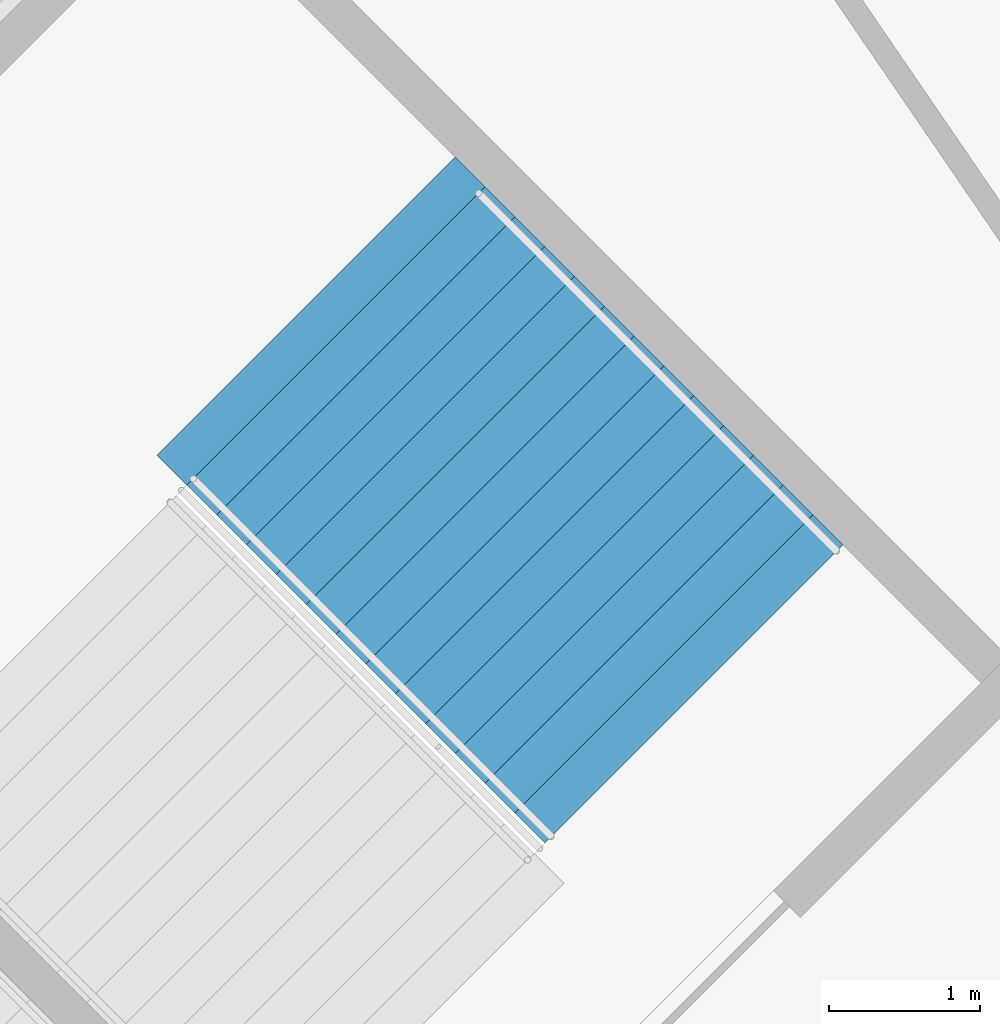
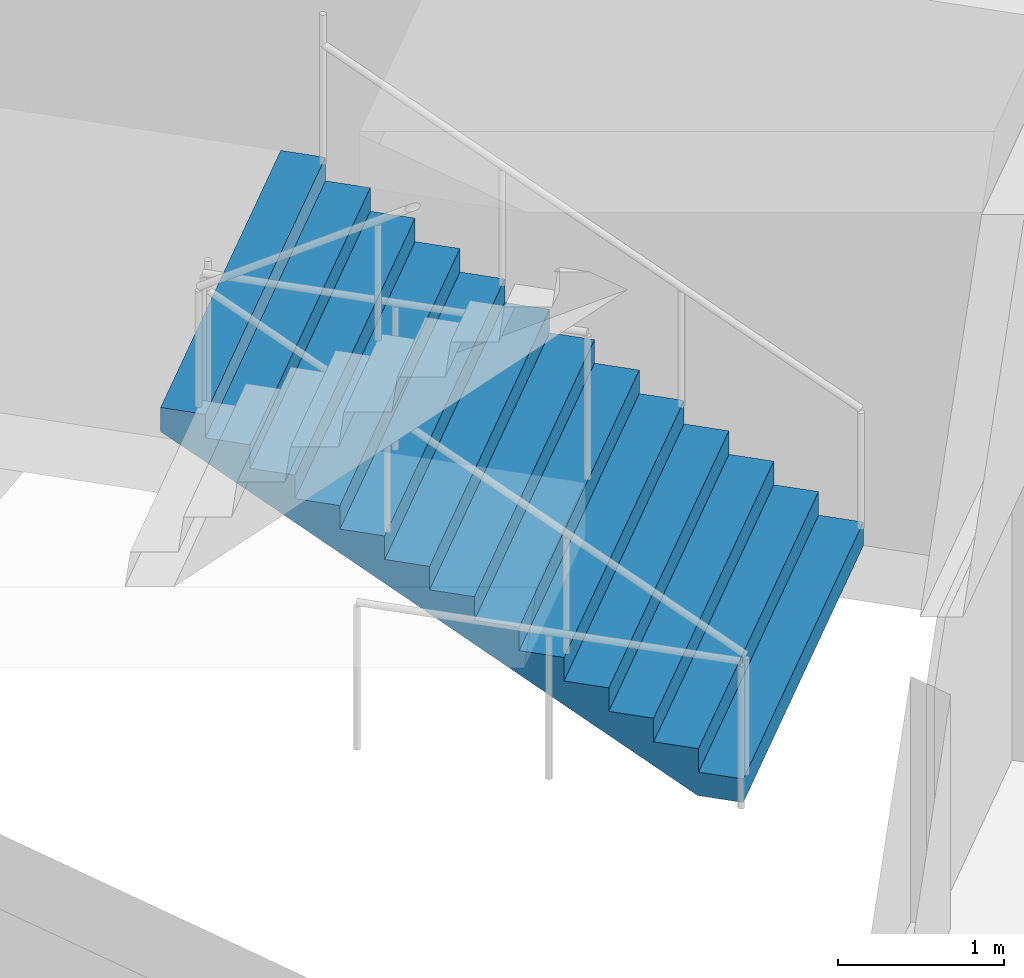
# One storey, part 161 of 199: 1 stair flight, 1 element without a shape of its own.
"""IFC4 building model written with IfcOpenShell, lengths in metres."""

from ifc_helpers import new_model, si_unit, direction, frame, origin, place, context, subcontext, project, spatial, faceted_brep, material, type_object, element, aggregate, save


model = new_model("IFC4")

# Units and contexts
model_context = context("Model", 3, precision=1e-05, world=origin(), true_north=direction((0.0, 1.0)))
body_context = subcontext(model_context, "Body", "Model", "MODEL_VIEW")
ifc_project = project(units=[si_unit("LENGTHUNIT", "METRE"), si_unit("AREAUNIT", "SQUARE_METRE"), si_unit("VOLUMEUNIT", "CUBIC_METRE"), si_unit("PLANEANGLEUNIT", "RADIAN"), si_unit("MASSUNIT", "GRAM", prefix="KILO")], contexts=[model_context])

# Site, building, storey
site_placement = place(None, origin())
site = spatial("IfcSite", under=ifc_project, at=site_placement, CompositionType="ELEMENT")
building_placement = place(site_placement, origin())
building = spatial("IfcBuilding", under=site, at=building_placement, Name="Ogive Plaza Stadium", CompositionType="ELEMENT")
storey_placement = place(building_placement, frame((0.0, 0.0, 4.5)))
storey = spatial("IfcBuildingStorey", under=building, at=storey_placement, Name="L01", CompositionType="ELEMENT", Elevation=4.5)

# Stair, stair flight
ifc_material_1 = material(Name="Concrete C40/50", Category="concrete")
stair_type = type_object("IfcStairType", Name="Exit stair", PredefinedType="STRAIGHT_RUN_STAIR", material=ifc_material_1)
stair_placement = place(storey_placement, origin())
stair = element("IfcStair", 1, at=stair_placement, inside=storey, type_object=stair_type, Name="Exit stair ST30A L01 to L02", PredefinedType="STRAIGHT_RUN_STAIR")
ifc_material_2 = material(Name="Concrete C40/50", Category="concrete")
stair_flight_type = type_object("IfcStairFlightType", Name="Exit stair flight", PredefinedType="STRAIGHT", material=ifc_material_2)
stair_flight_placement = place(storey_placement, frame((-60.817138671875, 85.574951171875, 0.0), z_axis=(0.0, 0.0, 1.0), x_axis=(-0.707106781187, 0.707106781187, 0.0)))
stair_flight = element("IfcStairFlight", 2, at=stair_flight_placement, type_object=stair_flight_type, Name="ST30A flight 1", NumberOfRisers=13, NumberOfTreads=12, PredefinedType="STRAIGHT", RiserHeight=0.173076923, TreadLength=0.28, context=body_context, shape_type="Brep", body=[
    faceted_brep([(0.28515625, -1.39990234375, 0.0), (3.639892578125, -1.39990234375, 2.07373046875), (3.639892578125, -1.39990234375, 2.25), (3.360107421875, -1.39990234375, 2.25), (3.360107421875, -1.39990234375, 2.076904296875), (3.080078125, -1.39990234375, 2.076904296875), (3.080078125, -1.39990234375, 1.90380859375), (2.800048828125, -1.39990234375, 1.90380859375), (2.800048828125, -1.39990234375, 1.730712890625), (2.52001953125, -1.39990234375, 1.730712890625), (2.52001953125, -1.39990234375, 1.5576171875), (2.239990234375, -1.39990234375, 1.5576171875), (2.239990234375, -1.39990234375, 1.384521484375), (1.9599609375, -1.39990234375, 1.384521484375), (1.9599609375, -1.39990234375, 1.21142578125), (1.679931640625, -1.39990234375, 1.21142578125), (1.679931640625, -1.39990234375, 1.03857421875), (1.39990234375, -1.39990234375, 1.03857421875), (1.39990234375, -1.39990234375, 0.865478515625), (1.1201171875, -1.39990234375, 0.865478515625), (1.1201171875, -1.39990234375, 0.6923828125), (0.840087890625, -1.39990234375, 0.6923828125), (0.840087890625, -1.39990234375, 0.519287109375), (0.56005859375, -1.39990234375, 0.519287109375), (0.56005859375, -1.39990234375, 0.34619140625), (0.280029296875, -1.39990234375, 0.34619140625), (0.280029296875, -1.39990234375, 0.173095703125), (0.0, -1.39990234375, 0.173095703125), (0.0, -1.39990234375, 0.0), (0.0, 1.39990234375, 0.0), (0.0, 1.39990234375, 0.173095703125), (0.280029296875, 1.39990234375, 0.173095703125), (0.280029296875, 1.39990234375, 0.34619140625), (0.56005859375, 1.39990234375, 0.34619140625), (0.56005859375, 1.39990234375, 0.519287109375), (0.840087890625, 1.39990234375, 0.519287109375), (0.840087890625, 1.39990234375, 0.6923828125), (1.1201171875, 1.39990234375, 0.6923828125), (1.1201171875, 1.39990234375, 0.865478515625), (1.39990234375, 1.39990234375, 0.865478515625), (1.39990234375, 1.39990234375, 1.03857421875), (1.679931640625, 1.39990234375, 1.03857421875), (1.679931640625, 1.39990234375, 1.21142578125), (1.9599609375, 1.39990234375, 1.21142578125), (1.9599609375, 1.39990234375, 1.384521484375), (2.239990234375, 1.39990234375, 1.384521484375), (2.239990234375, 1.39990234375, 1.5576171875), (2.52001953125, 1.39990234375, 1.5576171875), (2.52001953125, 1.39990234375, 1.730712890625), (2.800048828125, 1.39990234375, 1.730712890625), (2.800048828125, 1.39990234375, 1.90380859375), (3.080078125, 1.39990234375, 1.90380859375), (3.080078125, 1.39990234375, 2.076904296875), (3.360107421875, 1.39990234375, 2.076904296875), (3.360107421875, 1.39990234375, 2.25), (3.639892578125, 1.39990234375, 2.25), (3.639892578125, 1.39990234375, 2.07373046875), (0.28515625, 1.39990234375, 0.0), (0.28515625, -1.0888671875, 0.0), (3.639892578125, -1.0888671875, 2.07373046875), (0.28515625, -0.77783203125, 0.0), (3.639892578125, -0.77783203125, 2.07373046875), (0.28515625, -0.466796875, 0.0), (3.639892578125, -0.466796875, 2.07373046875), (0.28515625, -0.155517578125, 0.0), (3.639892578125, -0.155517578125, 2.07373046875), (0.28515625, 0.155517578125, 0.0), (3.639892578125, 0.155517578125, 2.07373046875), (0.28515625, 0.466796875, 0.0), (3.639892578125, 0.466796875, 2.07373046875), (0.28515625, 0.77783203125, 0.0), (3.639892578125, 0.77783203125, 2.07373046875), (0.28515625, 1.0888671875, 0.0), (3.639892578125, 1.0888671875, 2.07373046875), (3.639892578125, -1.0888671875, 2.25), (3.639892578125, -0.77783203125, 2.25), (3.639892578125, -0.466796875, 2.25), (3.639892578125, -0.155517578125, 2.25), (3.639892578125, 0.155517578125, 2.25), (3.639892578125, 0.466796875, 2.25), (3.639892578125, 0.77783203125, 2.25), (3.639892578125, 1.0888671875, 2.25), (3.360107421875, -1.0888671875, 2.25), (3.360107421875, -0.77783203125, 2.25), (3.360107421875, -0.466796875, 2.25), (3.360107421875, -0.155517578125, 2.25), (3.360107421875, 0.155517578125, 2.25), (3.360107421875, 0.466796875, 2.25), (3.360107421875, 0.77783203125, 2.25), (3.360107421875, 1.0888671875, 2.25), (3.360107421875, -1.0888671875, 2.076904296875), (3.360107421875, -0.77783203125, 2.076904296875), (3.360107421875, -0.466796875, 2.076904296875), (3.360107421875, -0.155517578125, 2.076904296875), (3.360107421875, 0.155517578125, 2.076904296875), (3.360107421875, 0.466796875, 2.076904296875), (3.360107421875, 0.77783203125, 2.076904296875), (3.360107421875, 1.0888671875, 2.076904296875), (3.080078125, -1.0888671875, 2.076904296875), (3.080078125, -0.77783203125, 2.076904296875), (3.080078125, -0.466796875, 2.076904296875), (3.080078125, -0.155517578125, 2.076904296875), (3.080078125, 0.155517578125, 2.076904296875), (3.080078125, 0.466796875, 2.076904296875), (3.080078125, 0.77783203125, 2.076904296875), (3.080078125, 1.0888671875, 2.076904296875), (3.080078125, -1.0888671875, 1.90380859375), (3.080078125, -0.77783203125, 1.90380859375), (3.080078125, -0.466796875, 1.90380859375), (3.080078125, -0.155517578125, 1.90380859375), (3.080078125, 0.155517578125, 1.90380859375), (3.080078125, 0.466796875, 1.90380859375), (3.080078125, 0.77783203125, 1.90380859375), (3.080078125, 1.0888671875, 1.90380859375), (2.800048828125, -1.0888671875, 1.90380859375), (2.800048828125, -0.77783203125, 1.90380859375), (2.800048828125, -0.466796875, 1.90380859375), (2.800048828125, -0.155517578125, 1.90380859375), (2.800048828125, 0.155517578125, 1.90380859375), (2.800048828125, 0.466796875, 1.90380859375), (2.800048828125, 0.77783203125, 1.90380859375), (2.800048828125, 1.0888671875, 1.90380859375), (2.800048828125, -1.0888671875, 1.730712890625), (2.800048828125, -0.77783203125, 1.730712890625), (2.800048828125, -0.466796875, 1.730712890625), (2.800048828125, -0.155517578125, 1.730712890625), (2.800048828125, 0.155517578125, 1.730712890625), (2.800048828125, 0.466796875, 1.730712890625), (2.800048828125, 0.77783203125, 1.730712890625), (2.800048828125, 1.0888671875, 1.730712890625), (2.52001953125, -1.0888671875, 1.730712890625), (2.52001953125, -0.77783203125, 1.730712890625), (2.52001953125, -0.466796875, 1.730712890625), (2.52001953125, -0.155517578125, 1.730712890625), (2.52001953125, 0.155517578125, 1.730712890625), (2.52001953125, 0.466796875, 1.730712890625), (2.52001953125, 0.77783203125, 1.730712890625), (2.52001953125, 1.0888671875, 1.730712890625), (2.52001953125, -1.0888671875, 1.5576171875), (2.52001953125, -0.77783203125, 1.5576171875), (2.52001953125, -0.466796875, 1.5576171875), (2.52001953125, -0.155517578125, 1.5576171875), (2.52001953125, 0.155517578125, 1.5576171875), (2.52001953125, 0.466796875, 1.5576171875), (2.52001953125, 0.77783203125, 1.5576171875), (2.52001953125, 1.0888671875, 1.5576171875), (2.239990234375, -1.0888671875, 1.5576171875), (2.239990234375, -0.77783203125, 1.5576171875), (2.239990234375, -0.466796875, 1.5576171875), (2.239990234375, -0.155517578125, 1.5576171875), (2.239990234375, 0.155517578125, 1.5576171875), (2.239990234375, 0.466796875, 1.5576171875), (2.239990234375, 0.77783203125, 1.5576171875), (2.239990234375, 1.0888671875, 1.5576171875), (2.239990234375, -1.0888671875, 1.384521484375), (2.239990234375, -0.77783203125, 1.384521484375), (2.239990234375, -0.466796875, 1.384521484375), (2.239990234375, -0.155517578125, 1.384521484375), (2.239990234375, 0.155517578125, 1.384521484375), (2.239990234375, 0.466796875, 1.384521484375), (2.239990234375, 0.77783203125, 1.384521484375), (2.239990234375, 1.0888671875, 1.384521484375), (1.9599609375, -1.0888671875, 1.384521484375), (1.9599609375, -0.77783203125, 1.384521484375), (1.9599609375, -0.466796875, 1.384521484375), (1.9599609375, -0.155517578125, 1.384521484375), (1.9599609375, 0.155517578125, 1.384521484375), (1.9599609375, 0.466796875, 1.384521484375), (1.9599609375, 0.77783203125, 1.384521484375), (1.9599609375, 1.0888671875, 1.384521484375), (1.9599609375, -1.0888671875, 1.21142578125), (1.9599609375, -0.77783203125, 1.21142578125), (1.9599609375, -0.466796875, 1.21142578125), (1.9599609375, -0.155517578125, 1.21142578125), (1.9599609375, 0.155517578125, 1.21142578125), (1.9599609375, 0.466796875, 1.21142578125), (1.9599609375, 0.77783203125, 1.21142578125), (1.9599609375, 1.0888671875, 1.21142578125), (1.679931640625, -1.0888671875, 1.21142578125), (1.679931640625, -0.77783203125, 1.21142578125), (1.679931640625, -0.466796875, 1.21142578125), (1.679931640625, -0.155517578125, 1.21142578125), (1.679931640625, 0.155517578125, 1.21142578125), (1.679931640625, 0.466796875, 1.21142578125), (1.679931640625, 0.77783203125, 1.21142578125), (1.679931640625, 1.0888671875, 1.21142578125), (1.679931640625, -1.0888671875, 1.03857421875), (1.679931640625, -0.77783203125, 1.03857421875), (1.679931640625, -0.466796875, 1.03857421875), (1.679931640625, -0.155517578125, 1.03857421875), (1.679931640625, 0.155517578125, 1.03857421875), (1.679931640625, 0.466796875, 1.03857421875), (1.679931640625, 0.77783203125, 1.03857421875), (1.679931640625, 1.0888671875, 1.03857421875), (1.39990234375, -1.0888671875, 1.03857421875), (1.39990234375, -0.77783203125, 1.03857421875), (1.39990234375, -0.466796875, 1.03857421875), (1.39990234375, -0.155517578125, 1.03857421875), (1.39990234375, 0.155517578125, 1.03857421875), (1.39990234375, 0.466796875, 1.03857421875), (1.39990234375, 0.77783203125, 1.03857421875), (1.39990234375, 1.0888671875, 1.03857421875), (1.39990234375, -1.0888671875, 0.865478515625), (1.39990234375, -0.77783203125, 0.865478515625), (1.39990234375, -0.466796875, 0.865478515625), (1.39990234375, -0.155517578125, 0.865478515625), (1.39990234375, 0.155517578125, 0.865478515625), (1.39990234375, 0.466796875, 0.865478515625), (1.39990234375, 0.77783203125, 0.865478515625), (1.39990234375, 1.0888671875, 0.865478515625), (1.1201171875, -1.0888671875, 0.865478515625), (1.1201171875, -0.77783203125, 0.865478515625), (1.1201171875, -0.466796875, 0.865478515625), (1.1201171875, -0.155517578125, 0.865478515625), (1.1201171875, 0.155517578125, 0.865478515625), (1.1201171875, 0.466796875, 0.865478515625), (1.1201171875, 0.77783203125, 0.865478515625), (1.1201171875, 1.0888671875, 0.865478515625), (1.1201171875, -1.0888671875, 0.6923828125), (1.1201171875, -0.77783203125, 0.6923828125), (1.1201171875, -0.466796875, 0.6923828125), (1.1201171875, -0.155517578125, 0.6923828125), (1.1201171875, 0.155517578125, 0.6923828125), (1.1201171875, 0.466796875, 0.6923828125), (1.1201171875, 0.77783203125, 0.6923828125), (1.1201171875, 1.0888671875, 0.6923828125), (0.840087890625, -1.0888671875, 0.6923828125), (0.840087890625, -0.77783203125, 0.6923828125), (0.840087890625, -0.466796875, 0.6923828125), (0.840087890625, -0.155517578125, 0.6923828125), (0.840087890625, 0.155517578125, 0.6923828125), (0.840087890625, 0.466796875, 0.6923828125), (0.840087890625, 0.77783203125, 0.6923828125), (0.840087890625, 1.0888671875, 0.6923828125), (0.840087890625, -1.0888671875, 0.519287109375), (0.840087890625, -0.77783203125, 0.519287109375), (0.840087890625, -0.466796875, 0.519287109375), (0.840087890625, -0.155517578125, 0.519287109375), (0.840087890625, 0.155517578125, 0.519287109375), (0.840087890625, 0.466796875, 0.519287109375), (0.840087890625, 0.77783203125, 0.519287109375), (0.840087890625, 1.0888671875, 0.519287109375), (0.56005859375, -1.0888671875, 0.519287109375), (0.56005859375, -0.77783203125, 0.519287109375), (0.56005859375, -0.466796875, 0.519287109375), (0.56005859375, -0.155517578125, 0.519287109375), (0.56005859375, 0.155517578125, 0.519287109375), (0.56005859375, 0.466796875, 0.519287109375), (0.56005859375, 0.77783203125, 0.519287109375), (0.56005859375, 1.0888671875, 0.519287109375), (0.56005859375, -1.0888671875, 0.34619140625), (0.56005859375, -0.77783203125, 0.34619140625), (0.56005859375, -0.466796875, 0.34619140625), (0.56005859375, -0.155517578125, 0.34619140625), (0.56005859375, 0.155517578125, 0.34619140625), (0.56005859375, 0.466796875, 0.34619140625), (0.56005859375, 0.77783203125, 0.34619140625), (0.56005859375, 1.0888671875, 0.34619140625), (0.280029296875, -1.0888671875, 0.34619140625), (0.280029296875, -0.77783203125, 0.34619140625), (0.280029296875, -0.466796875, 0.34619140625), (0.280029296875, -0.155517578125, 0.34619140625), (0.280029296875, 0.155517578125, 0.34619140625), (0.280029296875, 0.466796875, 0.34619140625), (0.280029296875, 0.77783203125, 0.34619140625), (0.280029296875, 1.0888671875, 0.34619140625), (0.280029296875, -1.0888671875, 0.173095703125), (0.280029296875, -0.77783203125, 0.173095703125), (0.280029296875, -0.466796875, 0.173095703125), (0.280029296875, -0.155517578125, 0.173095703125), (0.280029296875, 0.155517578125, 0.173095703125), (0.280029296875, 0.466796875, 0.173095703125), (0.280029296875, 0.77783203125, 0.173095703125), (0.280029296875, 1.0888671875, 0.173095703125), (0.0, -1.0888671875, 0.173095703125), (0.0, -0.77783203125, 0.173095703125), (0.0, -0.466796875, 0.173095703125), (0.0, -0.155517578125, 0.173095703125), (0.0, 0.155517578125, 0.173095703125), (0.0, 0.466796875, 0.173095703125), (0.0, 0.77783203125, 0.173095703125), (0.0, 1.0888671875, 0.173095703125), (0.0, -1.0888671875, 0.0), (0.0, -0.77783203125, 0.0), (0.0, -0.466796875, 0.0), (0.0, -0.155517578125, 0.0), (0.0, 0.155517578125, 0.0), (0.0, 0.466796875, 0.0), (0.0, 0.77783203125, 0.0), (0.0, 1.0888671875, 0.0)], [[[0, 1, 2, 3, 4, 5, 6, 7, 8, 9, 10, 11, 12, 13, 14, 15, 16, 17, 18, 19, 20, 21, 22, 23, 24, 25, 26, 27, 28]], [[29, 30, 31, 32, 33, 34, 35, 36, 37, 38, 39, 40, 41, 42, 43, 44, 45, 46, 47, 48, 49, 50, 51, 52, 53, 54, 55, 56, 57]], [[0, 58, 59, 1]], [[58, 60, 61, 59]], [[60, 62, 63, 61]], [[62, 64, 65, 63]], [[64, 66, 67, 65]], [[66, 68, 69, 67]], [[68, 70, 71, 69]], [[70, 72, 73, 71]], [[72, 57, 56, 73]], [[1, 59, 74, 2]], [[59, 61, 75, 74]], [[61, 63, 76, 75]], [[63, 65, 77, 76]], [[65, 67, 78, 77]], [[67, 69, 79, 78]], [[69, 71, 80, 79]], [[71, 73, 81, 80]], [[73, 56, 55, 81]], [[2, 74, 82, 3]], [[74, 75, 83, 82]], [[75, 76, 84, 83]], [[76, 77, 85, 84]], [[77, 78, 86, 85]], [[78, 79, 87, 86]], [[79, 80, 88, 87]], [[80, 81, 89, 88]], [[81, 55, 54, 89]], [[3, 82, 90, 4]], [[82, 83, 91, 90]], [[83, 84, 92, 91]], [[84, 85, 93, 92]], [[85, 86, 94, 93]], [[86, 87, 95, 94]], [[87, 88, 96, 95]], [[88, 89, 97, 96]], [[89, 54, 53, 97]], [[4, 90, 98, 5]], [[90, 91, 99, 98]], [[91, 92, 100, 99]], [[92, 93, 101, 100]], [[93, 94, 102, 101]], [[94, 95, 103, 102]], [[95, 96, 104, 103]], [[96, 97, 105, 104]], [[97, 53, 52, 105]], [[5, 98, 106, 6]], [[98, 99, 107, 106]], [[99, 100, 108, 107]], [[100, 101, 109, 108]], [[101, 102, 110, 109]], [[102, 103, 111, 110]], [[103, 104, 112, 111]], [[104, 105, 113, 112]], [[105, 52, 51, 113]], [[6, 106, 114, 7]], [[106, 107, 115, 114]], [[107, 108, 116, 115]], [[108, 109, 117, 116]], [[109, 110, 118, 117]], [[110, 111, 119, 118]], [[111, 112, 120, 119]], [[112, 113, 121, 120]], [[113, 51, 50, 121]], [[7, 114, 122, 8]], [[114, 115, 123, 122]], [[115, 116, 124, 123]], [[116, 117, 125, 124]], [[117, 118, 126, 125]], [[118, 119, 127, 126]], [[119, 120, 128, 127]], [[120, 121, 129, 128]], [[121, 50, 49, 129]], [[8, 122, 130, 9]], [[122, 123, 131, 130]], [[123, 124, 132, 131]], [[124, 125, 133, 132]], [[125, 126, 134, 133]], [[126, 127, 135, 134]], [[127, 128, 136, 135]], [[128, 129, 137, 136]], [[129, 49, 48, 137]], [[9, 130, 138, 10]], [[130, 131, 139, 138]], [[131, 132, 140, 139]], [[132, 133, 141, 140]], [[133, 134, 142, 141]], [[134, 135, 143, 142]], [[135, 136, 144, 143]], [[136, 137, 145, 144]], [[137, 48, 47, 145]], [[10, 138, 146, 11]], [[138, 139, 147, 146]], [[139, 140, 148, 147]], [[140, 141, 149, 148]], [[141, 142, 150, 149]], [[142, 143, 151, 150]], [[143, 144, 152, 151]], [[144, 145, 153, 152]], [[145, 47, 46, 153]], [[11, 146, 154, 12]], [[146, 147, 155, 154]], [[147, 148, 156, 155]], [[148, 149, 157, 156]], [[149, 150, 158, 157]], [[150, 151, 159, 158]], [[151, 152, 160, 159]], [[152, 153, 161, 160]], [[153, 46, 45, 161]], [[12, 154, 162, 13]], [[154, 155, 163, 162]], [[155, 156, 164, 163]], [[156, 157, 165, 164]], [[157, 158, 166, 165]], [[158, 159, 167, 166]], [[159, 160, 168, 167]], [[160, 161, 169, 168]], [[161, 45, 44, 169]], [[13, 162, 170, 14]], [[162, 163, 171, 170]], [[163, 164, 172, 171]], [[164, 165, 173, 172]], [[165, 166, 174, 173]], [[166, 167, 175, 174]], [[167, 168, 176, 175]], [[168, 169, 177, 176]], [[169, 44, 43, 177]], [[14, 170, 178, 15]], [[170, 171, 179, 178]], [[171, 172, 180, 179]], [[172, 173, 181, 180]], [[173, 174, 182, 181]], [[174, 175, 183, 182]], [[175, 176, 184, 183]], [[176, 177, 185, 184]], [[177, 43, 42, 185]], [[15, 178, 186, 16]], [[178, 179, 187, 186]], [[179, 180, 188, 187]], [[180, 181, 189, 188]], [[181, 182, 190, 189]], [[182, 183, 191, 190]], [[183, 184, 192, 191]], [[184, 185, 193, 192]], [[185, 42, 41, 193]], [[16, 186, 194, 17]], [[186, 187, 195, 194]], [[187, 188, 196, 195]], [[188, 189, 197, 196]], [[189, 190, 198, 197]], [[190, 191, 199, 198]], [[191, 192, 200, 199]], [[192, 193, 201, 200]], [[193, 41, 40, 201]], [[17, 194, 202, 18]], [[194, 195, 203, 202]], [[195, 196, 204, 203]], [[196, 197, 205, 204]], [[197, 198, 206, 205]], [[198, 199, 207, 206]], [[199, 200, 208, 207]], [[200, 201, 209, 208]], [[201, 40, 39, 209]], [[18, 202, 210, 19]], [[202, 203, 211, 210]], [[203, 204, 212, 211]], [[204, 205, 213, 212]], [[205, 206, 214, 213]], [[206, 207, 215, 214]], [[207, 208, 216, 215]], [[208, 209, 217, 216]], [[209, 39, 38, 217]], [[19, 210, 218, 20]], [[210, 211, 219, 218]], [[211, 212, 220, 219]], [[212, 213, 221, 220]], [[213, 214, 222, 221]], [[214, 215, 223, 222]], [[215, 216, 224, 223]], [[216, 217, 225, 224]], [[217, 38, 37, 225]], [[20, 218, 226, 21]], [[218, 219, 227, 226]], [[219, 220, 228, 227]], [[220, 221, 229, 228]], [[221, 222, 230, 229]], [[222, 223, 231, 230]], [[223, 224, 232, 231]], [[224, 225, 233, 232]], [[225, 37, 36, 233]], [[21, 226, 234, 22]], [[226, 227, 235, 234]], [[227, 228, 236, 235]], [[228, 229, 237, 236]], [[229, 230, 238, 237]], [[230, 231, 239, 238]], [[231, 232, 240, 239]], [[232, 233, 241, 240]], [[233, 36, 35, 241]], [[22, 234, 242, 23]], [[234, 235, 243, 242]], [[235, 236, 244, 243]], [[236, 237, 245, 244]], [[237, 238, 246, 245]], [[238, 239, 247, 246]], [[239, 240, 248, 247]], [[240, 241, 249, 248]], [[241, 35, 34, 249]], [[23, 242, 250, 24]], [[242, 243, 251, 250]], [[243, 244, 252, 251]], [[244, 245, 253, 252]], [[245, 246, 254, 253]], [[246, 247, 255, 254]], [[247, 248, 256, 255]], [[248, 249, 257, 256]], [[249, 34, 33, 257]], [[24, 250, 258, 25]], [[250, 251, 259, 258]], [[251, 252, 260, 259]], [[252, 253, 261, 260]], [[253, 254, 262, 261]], [[254, 255, 263, 262]], [[255, 256, 264, 263]], [[256, 257, 265, 264]], [[257, 33, 32, 265]], [[25, 258, 266, 26]], [[258, 259, 267, 266]], [[259, 260, 268, 267]], [[260, 261, 269, 268]], [[261, 262, 270, 269]], [[262, 263, 271, 270]], [[263, 264, 272, 271]], [[264, 265, 273, 272]], [[265, 32, 31, 273]], [[26, 266, 274, 27]], [[266, 267, 275, 274]], [[267, 268, 276, 275]], [[268, 269, 277, 276]], [[269, 270, 278, 277]], [[270, 271, 279, 278]], [[271, 272, 280, 279]], [[272, 273, 281, 280]], [[273, 31, 30, 281]], [[27, 274, 282, 28]], [[274, 275, 283, 282]], [[275, 276, 284, 283]], [[276, 277, 285, 284]], [[277, 278, 286, 285]], [[278, 279, 287, 286]], [[279, 280, 288, 287]], [[280, 281, 289, 288]], [[281, 30, 29, 289]], [[28, 282, 58, 0]], [[282, 283, 60, 58]], [[283, 284, 62, 60]], [[284, 285, 64, 62]], [[285, 286, 66, 64]], [[286, 287, 68, 66]], [[287, 288, 70, 68]], [[288, 289, 72, 70]], [[289, 29, 57, 72]]]),
])
aggregate(stair, [stair_flight])

save(model, "model.ifc")
